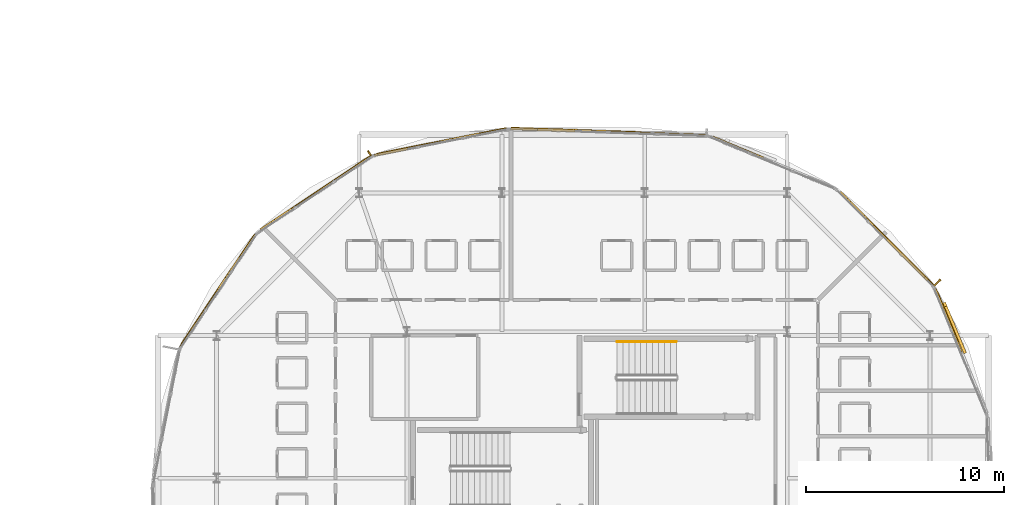
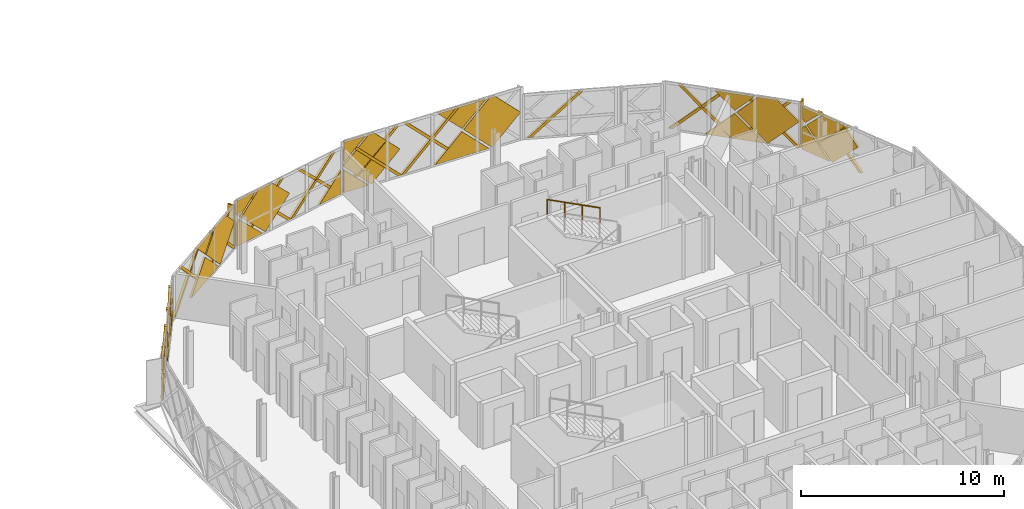
# One storey, part 24 of 25: 46 coverings, 2 shading devices, 1 railing.
"""IFC4 building model written with IfcOpenShell, lengths in metres."""

from ifc_helpers import new_model, si_unit, direction, frame, origin, origin_2d, place, context, subcontext, project, spatial, polyline, rectangle, circle, outline, extrude, material, layer, layer_set, type_object, element, save


model = new_model("IFC4")

# Units and contexts
model_context = context("Model", 3, precision=1e-05, world=origin(), true_north=direction((0.0, 1.0)))
body_context = subcontext(model_context, "Body", "Model", "MODEL_VIEW")
ifc_project = project(units=[si_unit("LENGTHUNIT", "METRE"), si_unit("AREAUNIT", "SQUARE_METRE"), si_unit("VOLUMEUNIT", "CUBIC_METRE"), si_unit("PLANEANGLEUNIT", "RADIAN"), si_unit("MASSUNIT", "GRAM", prefix="KILO")], contexts=[model_context])

# Site, building, storey
site_placement = place(None, origin())
site = spatial("IfcSite", under=ifc_project, at=site_placement, CompositionType="ELEMENT")
building_placement = place(site_placement, origin())
building = spatial("IfcBuilding", under=site, at=building_placement, Name="Zevrakil Square Congress Hotel", CompositionType="ELEMENT")
storey_placement = place(building_placement, frame((0.0, 0.0, 28.300048828125)))
storey = spatial("IfcBuildingStorey", under=building, at=storey_placement, Name="L08", CompositionType="ELEMENT", Elevation=28.300048828125)

# Coverings
ifc_material_1 = material(Name="Architectural White Fibre-C GRC", Category="concrete")
ifc_layer_1 = layer(ifc_material_1, 0.06494140625)
ifc_layer_set_1 = layer_set([ifc_layer_1], Name="Architectural White Fibre-C GRC")
covering_type_1 = type_object("IfcCoveringType", Name="COV-DIA-WHITE", PredefinedType="CLADDING", material=ifc_layer_set_1)
covering_1_placement = place(storey_placement, frame((163.584716796875, 40.606689453125, 1.58984375), z_axis=(0.923931381586, 0.382557788132, 0.000583832294), x_axis=(-0.27003258777, 0.65324655891, -0.70735516879)))
element("IfcCovering", 1, at=covering_1_placement, inside=storey, type_object=covering_type_1, Name="L08 45-degree white GRC diamond facade cassette 2825", PredefinedType="CLADDING", context=body_context, shape_type="SweptSolid", body=[
    extrude(outline(polyline([(0.0, 0.0), (0.26265602168372, 0.0), (1.1995361153018684, -0.9358479826313184), (0.0007365466058582015, -2.135490728389687), (0.0, 0.0)])), origin(), (0.0, 0.0, -1.0), 0.1201171875),
])
covering_2_placement = place(storey_placement, frame((163.619140625, 40.523681640625, 1.679931640625), z_axis=(0.923874979833, 0.382693925028, 0.000617563918), x_axis=(0.27101385986, -0.653123115709, -0.70709382934)))
element("IfcCovering", 2, at=covering_2_placement, inside=storey, type_object=covering_type_1, Name="L08 45-degree white GRC diamond facade cassette 2826", PredefinedType="CLADDING", context=body_context, shape_type="SweptSolid", body=[
    extrude(outline(polyline([(0.0, 0.0), (2.2487649826185794, 2.220446049250313e-16), (2.2487030434179474, -2.248621487736097), (0.9052022507591981, -2.248579266628513), (7.964935006055107e-05, -1.343489375281858), (0.0, 0.0)])), origin(), (0.0, 0.0, -1.0), 0.1201171875),
])
covering_3_placement = place(storey_placement, frame((163.584716796875, 40.606689453125, 1.77001953125), z_axis=(0.923882328431, 0.382676386465, 0.000475872387), x_axis=(0.270294494508, -0.653441897899, 0.707074658229)))
element("IfcCovering", 3, at=covering_3_placement, inside=storey, type_object=covering_type_1, Name="L08 45-degree white GRC diamond facade cassette 2827", PredefinedType="CLADDING", context=body_context, shape_type="SweptSolid", body=[
    extrude(outline(polyline([(0.0, 0.0), (1.2160856234251614, 1.1102230246251565e-16), (0.4765017102461365, -0.7395168244290641), (-5.171672533157978e-05, -0.26278807444089036), (0.0, 0.0)])), origin(), (0.0, 0.0, -1.0), 0.1201171875),
])
covering_4_placement = place(storey_placement, frame((161.0791015625, 43.277099609375, 1.58984375), z_axis=(0.707106614827, 0.707106614827, 0.000685956296), x_axis=(-0.499688110054, 0.500374023726, -0.70706267689)))
element("IfcCovering", 4, at=covering_4_placement, inside=storey, type_object=covering_type_1, Name="L08 45-degree white GRC diamond facade cassette 2832", PredefinedType="CLADDING", context=body_context, shape_type="SweptSolid", body=[
    extrude(outline(polyline([(0.0, 0.0), (2.1356094940087047, 0.0), (-2.1239432958841675e-05, -2.1353653520635065), (0.0, 0.0)])), origin(), (0.0, 0.0, -1.0), 0.1201171875),
])
covering_5_placement = place(storey_placement, frame((161.142578125, 43.21337890625, 1.679931640625), z_axis=(0.707086656495, 0.707126702543, 0.000535498331), x_axis=(0.500260887066, -0.499697050575, -0.70713641012)))
element("IfcCovering", 5, at=covering_5_placement, inside=storey, type_object=covering_type_1, Name="L08 45-degree white GRC diamond facade cassette 2833", PredefinedType="CLADDING", context=body_context, shape_type="SweptSolid", body=[
    extrude(outline(polyline([(0.0, 0.0), (2.2486297444978733, 2.220446049250313e-16), (2.2485612009743243, -2.234593692255967), (2.2344046615139077, -2.248749041317289), (0.6928440150307154, -2.248740937174533), (-0.00011993127735099307, -1.5557185640580555), (0.0, 0.0)])), origin(), (0.0, 0.0, -1.0), 0.1201171875),
])
covering_6_placement = place(storey_placement, frame((161.0791015625, 43.277099609375, 1.77001953125), z_axis=(0.707167083373, 0.707046220771, 0.000598236282), x_axis=(0.499632374052, -0.500316099504, 0.707143048736)))
element("IfcCovering", 6, at=covering_6_placement, inside=storey, type_object=covering_type_1, Name="L08 45-degree white GRC diamond facade cassette 2834", PredefinedType="CLADDING", context=body_context, shape_type="SweptSolid", body=[
    extrude(outline(polyline([(0.0, 0.0), (1.428296251275599, 0.0), (2.5038773877161802e-05, -1.428418247271782), (0.0, 0.0)])), origin(), (0.0, 0.0, -1.0), 0.1201171875),
])
covering_7_placement = place(storey_placement, frame((148.607421875, 48.67919921875, 1.58984375), z_axis=(0.034437213709, 0.999406744332, 0.000487540637), x_axis=(-0.706662444903, 0.024694885633, -0.7071197576)))
element("IfcCovering", 7, at=covering_7_placement, inside=storey, type_object=covering_type_1, Name="L08 45-degree white GRC diamond facade cassette 2847", PredefinedType="CLADDING", context=body_context, shape_type="SweptSolid", body=[
    extrude(outline(polyline([(0.0, 0.0), (2.1354371015609908, 0.0), (-5.797353951941808e-05, -2.1355739636251387), (0.0, 0.0)])), origin(), (0.0, 0.0, -1.0), 0.1201171875),
])
covering_8_placement = place(storey_placement, frame((142.043701171875, 48.905029296875, 1.437744140625), z_axis=(0.034524197898, 0.999403603744, 0.00071873686), x_axis=(0.0, 0.000719165582, -0.9999997414)))
element("IfcCovering", 8, at=covering_8_placement, inside=storey, type_object=covering_type_1, Name="L08 45-degree white GRC diamond facade cassette 2848", PredefinedType="CLADDING", context=body_context, shape_type="SweptSolid", body=[
    extrude(outline(polyline([(0.0, 0.0), (1.3579105074051148, 0.0), (1.3578767965184708, -1.3577429956865426), (0.0, 0.0)])), origin(), (0.0, 0.0, -1.0), 0.1201171875),
])
covering_9_placement = place(storey_placement, frame((148.697509765625, 48.67578125, 1.679931640625), z_axis=(0.034342639468, 0.999409936124, 0.00060223798), x_axis=(0.706686927538, -0.023857714997, -0.70712403147)))
element("IfcCovering", 9, at=covering_9_placement, inside=storey, type_object=covering_type_1, Name="L08 45-degree white GRC diamond facade cassette 2849", PredefinedType="CLADDING", context=body_context, shape_type="SweptSolid", body=[
    extrude(outline(polyline([(0.0, 0.0), (2.248669157200105, 0.0), (2.248438036598446, -2.2343922906356983), (2.2342817449528045, -2.2485478864533786), (0.24739024695382228, -2.2486192300394787), (-0.00013206632651896477, -2.0010847999345387), (0.0, 0.0)])), origin(), (0.0, 0.0, -1.0), 0.1201171875),
])
covering_10_placement = place(storey_placement, frame((143.570556640625, 48.853515625, 0.08984375), z_axis=(0.034438109288, 0.999406655978, 0.000593814834), x_axis=(0.706674176613, -0.024771109972, 0.707105367127)))
element("IfcCovering", 10, at=covering_10_placement, inside=storey, type_object=covering_type_1, Name="L08 45-degree white GRC diamond facade cassette 2850", PredefinedType="CLADDING", context=body_context, shape_type="SweptSolid", body=[
    extrude(outline(polyline([(0.0, 0.0), (2.248728529260854, 0.0), (2.2486648803563645, -2.00122761678093), (2.00113610118782, -2.2487555709076426), (0.08811575194742671, -2.2486477601896633), (7.284734909651647e-05, -2.1606045345030584), (0.0, 0.0)])), origin(), (0.0, 0.0, -1.0), 0.1201171875),
])
covering_11_placement = place(storey_placement, frame((148.607421875, 48.678955078125, 1.77001953125), z_axis=(0.034455924461, 0.999406065648, 0.000552463276), x_axis=(0.706694621675, -0.024755158208, 0.707085492594)))
element("IfcCovering", 11, at=covering_11_placement, inside=storey, type_object=covering_type_1, Name="L08 45-degree white GRC diamond facade cassette 2851", PredefinedType="CLADDING", context=body_context, shape_type="SweptSolid", body=[
    extrude(outline(polyline([(0.0, 0.0), (1.8738203311366033, 2.220446049250313e-16), (-7.656464047833822e-05, -1.8737846393585016), (0.0, 0.0)])), origin(), (0.0, 0.0, -1.0), 0.1201171875),
])
covering_12_placement = place(storey_placement, frame((143.2158203125, 48.86376953125, 3.094970703125), z_axis=(0.034347554543, 0.999409753715, 0.000624240945), x_axis=(-0.999409948438, 0.034347561236, 0.0)))
element("IfcCovering", 12, at=covering_12_placement, inside=storey, type_object=covering_type_1, Name="L08 45-degree white GRC diamond facade cassette 2852", PredefinedType="CLADDING", context=body_context, shape_type="SweptSolid", body=[
    extrude(outline(polyline([(0.0, 0.0), (1.1728111596815145, 0.0), (1.1728363165867164, -1.1726076503439962), (0.0, 0.0)])), origin(), (0.0, 0.0, -1.0), 0.1201171875),
])
covering_13_placement = place(storey_placement, frame((140.44091796875, 48.613037109375, 0.079833984375), z_axis=(-0.195117158425, 0.980779682769, 0.000712990978), x_axis=(0.980779932061, 0.19511720802, 0.0)))
element("IfcCovering", 13, at=covering_13_placement, inside=storey, type_object=covering_type_1, Name="L08 45-degree white GRC diamond facade cassette 2859", PredefinedType="CLADDING", context=body_context, shape_type="SweptSolid", body=[
    extrude(outline(polyline([(0.0, 0.0), (1.4101600118571058, -2.710505431213761e-20), (1.4102089159342497, -1.410156608430927), (0.0, 0.0)])), origin(), (0.0, 0.0, -1.0), 0.1201171875),
])
covering_14_placement = place(storey_placement, frame((135.331298828125, 47.595703125, 1.58984375), z_axis=(-0.194971652292, 0.980808721349, 0.000554011264), x_axis=(-0.693769720139, -0.137512818974, -0.706946815564)))
element("IfcCovering", 14, at=covering_14_placement, inside=storey, type_object=covering_type_1, Name="L08 45-degree white GRC diamond facade cassette 2860", PredefinedType="CLADDING", context=body_context, shape_type="SweptSolid", body=[
    extrude(outline(polyline([(0.0, 0.0), (0.26246244517614997, 2.7755575615628914e-17), (1.1988895004777846, -0.9366464508072774), (-0.0003998557962416882, -2.1353939014434102), (0.0, 0.0)])), origin(), (0.0, 0.0, -1.0), 0.1201171875),
])
covering_15_placement = place(storey_placement, frame((135.41943359375, 47.61328125, 1.679931640625), z_axis=(-0.195067157452, 0.98078969634, 0.000612892763), x_axis=(0.693429029362, 0.138356486318, -0.70711644298)))
element("IfcCovering", 15, at=covering_15_placement, inside=storey, type_object=covering_type_1, Name="L08 45-degree white GRC diamond facade cassette 2861", PredefinedType="CLADDING", context=body_context, shape_type="SweptSolid", body=[
    extrude(outline(polyline([(0.0, 0.0), (2.248693058405501, 2.220446049250313e-16), (2.248733669643704, -2.2487959665040176), (0.6929328899200121, -2.248747015298239), (-2.6879949242775147e-05, -1.5557680432856946), (0.0, 0.0)])), origin(), (0.0, 0.0, -1.0), 0.1201171875),
])
covering_16_placement = place(storey_placement, frame((135.331298828125, 47.595703125, 1.77001953125), z_axis=(-0.195041292457, 0.980794799146, 0.000675429488), x_axis=(0.693609772995, 0.13744458986, 0.707117011197)))
element("IfcCovering", 16, at=covering_16_placement, inside=storey, type_object=covering_type_1, Name="L08 45-degree white GRC diamond facade cassette 2862", PredefinedType="CLADDING", context=body_context, shape_type="SweptSolid", body=[
    extrude(outline(polyline([(0.0, 0.0), (1.4283488731403167, -2.220446049250313e-16), (0.5829711087330038, -0.8454025825087504), (-0.00012285303566786365, -0.26252970883128196), (0.0, 0.0)])), origin(), (0.0, 0.0, -1.0), 0.1201171875),
])
covering_17_placement = place(storey_placement, frame((132.223388671875, 45.6591796875, 1.58984375), z_axis=(-0.555520651505, 0.831502535125, 0.000582950511), x_axis=(-0.588198863079, -0.392475548484, -0.70709620372)))
element("IfcCovering", 17, at=covering_17_placement, inside=storey, type_object=covering_type_1, Name="L08 45-degree white GRC diamond facade cassette 2867", PredefinedType="CLADDING", context=body_context, shape_type="SweptSolid", body=[
    extrude(outline(polyline([(0.0, 0.0), (2.135508234495392, 0.0), (-6.439118954237877e-05, -2.135509461618033), (0.0, 0.0)])), origin(), (0.0, 0.0, -1.0), 0.1201171875),
])
covering_18_placement = place(storey_placement, frame((132.29833984375, 45.709228515625, 1.679931640625), z_axis=(-0.555581153492, 0.831462105844, 0.000590279375), x_axis=(0.58770156428, 0.393202889894, -0.707105620627)))
element("IfcCovering", 18, at=covering_18_placement, inside=storey, type_object=covering_type_1, Name="L08 45-degree white GRC diamond facade cassette 2868", PredefinedType="CLADDING", context=body_context, shape_type="SweptSolid", body=[
    extrude(outline(polyline([(0.0, 0.0), (2.248727622506177, 0.0), (2.248628678249538, -2.2344661342940397), (2.2344727551803545, -2.2486220988985752), (0.9051639093864615, -2.2485933251916173), (-5.553361229837517e-05, -1.3433764801927839), (0.0, 0.0)])), origin(), (0.0, 0.0, -1.0), 0.1201171875),
])
covering_19_placement = place(storey_placement, frame((132.223388671875, 45.6591796875, 1.77001953125), z_axis=(-0.555616975954, 0.831438075668, 0.000708773883), x_axis=(0.588222870859, 0.392483178338, 0.707071996985)))
element("IfcCovering", 19, at=covering_19_placement, inside=storey, type_object=covering_type_1, Name="L08 45-degree white GRC diamond facade cassette 2869", PredefinedType="CLADDING", context=body_context, shape_type="SweptSolid", body=[
    extrude(outline(polyline([(0.0, 0.0), (1.2160901363887175, -1.1102230246251565e-16), (-7.209862973234227e-05, -1.2160432030684487), (0.0, 0.0)])), origin(), (0.0, 0.0, -1.0), 0.1201171875),
])
covering_20_placement = place(storey_placement, frame((128.326416015625, 42.352783203125, 0.079833984375), z_axis=(-0.83143696172, 0.555618744306, 0.000624229289), x_axis=(0.555618852558, 0.831437123709, 0.0)))
element("IfcCovering", 20, at=covering_20_placement, inside=storey, type_object=covering_type_1, Name="L08 45-degree white GRC diamond facade cassette 2874", PredefinedType="CLADDING", context=body_context, shape_type="SweptSolid", body=[
    extrude(outline(polyline([(0.0, 0.0), (1.4100444252712594, 1.0842021724855044e-19), (1.410045397514974, -1.4101565247423773), (0.0, 0.0)])), origin(), (0.0, 0.0, -1.0), 0.1201171875),
])
covering_21_placement = place(storey_placement, frame((125.4326171875, 38.0205078125, 1.58984375), z_axis=(-0.831495967991, 0.555530596352, 0.000460142296), x_axis=(-0.393074442195, -0.587752381815, -0.707134796601)))
element("IfcCovering", 21, at=covering_21_placement, inside=storey, type_object=covering_type_1, Name="L08 45-degree white GRC diamond facade cassette 2875", PredefinedType="CLADDING", context=body_context, shape_type="SweptSolid", body=[
    extrude(outline(polyline([(0.0, 0.0), (0.26239242317629424, 2.7755575615628914e-17), (1.19911062203019, -0.9363554572640709), (0.00010078867779683698, -2.135460471202397), (0.0, 0.0)])), origin(), (0.0, 0.0, -1.0), 0.1201171875),
])
covering_22_placement = place(storey_placement, frame((125.48291015625, 38.09521484375, 1.679931640625), z_axis=(-0.831484035525, 0.555548410201, 0.000512436034), x_axis=(0.392514406491, 0.588124848853, -0.707136198239)))
element("IfcCovering", 22, at=covering_22_placement, inside=storey, type_object=covering_type_1, Name="L08 45-degree white GRC diamond facade cassette 2876", PredefinedType="CLADDING", context=body_context, shape_type="SweptSolid", body=[
    extrude(outline(polyline([(0.0, 0.0), (2.2486303576236586, -2.220446049250313e-16), (2.2484439351664283, -2.2486316220284386), (0.9050674517061323, -2.24863303904217), (-0.0001129211223048765, -1.3433771229790987), (0.0, 0.0)])), origin(), (0.0, 0.0, -1.0), 0.1201171875),
])
covering_23_placement = place(storey_placement, frame((125.432861328125, 38.020263671875, 1.77001953125), z_axis=(-0.83144812059, 0.555602041307, 0.0006280623), x_axis=(0.393258776383, 0.587705158129, 0.707071553598)))
element("IfcCovering", 23, at=covering_23_placement, inside=storey, type_object=covering_type_1, Name="L08 45-degree white GRC diamond facade cassette 2877", PredefinedType="CLADDING", context=body_context, shape_type="SweptSolid", body=[
    extrude(outline(polyline([(0.0, 0.0), (1.216090673566614, 1.1102230246251565e-16), (0.47659643473141244, -0.7394210791445527), (-9.856972975996747e-05, -0.26248827370569705), (0.0, 0.0)])), origin(), (0.0, 0.0, -1.0), 0.1201171875),
])
ifc_material_2 = material(Name="Anodised Champagne Aluminium", Category="aluminium")
ifc_layer_2 = layer(ifc_material_2, 0.0849609375)
ifc_layer_set_2 = layer_set([ifc_layer_2], Name="Anodised Champagne Aluminium")
covering_type_2 = type_object("IfcCoveringType", Name="COV-DIAGRID-45", PredefinedType="MOLDING", material=ifc_layer_set_2)
covering_24_placement = place(storey_placement, frame((164.8232421875, 37.684326171875, 0.079833984375), z_axis=(-0.92363779245, -0.383266523222, 2.3140221e-05), x_axis=(0.383266523325, -0.923637792697, -5.101e-09)))
element("IfcCovering", 24, at=covering_24_placement, inside=storey, type_object=covering_type_2, Name="L08 45-degree aluminium diagrid rib 2829", PredefinedType="MOLDING", context=body_context, shape_type="SweptSolid", body=[
    extrude(outline(polyline([(0.0, 0.0), (0.21223361811596553, 2.117582368135751e-22), (-2.337930778879303, 2.5500488168817066), (-2.5499388994872856, 2.5500488147176053), (0.0, 0.0)])), origin(), (0.0, 0.0, -1.0), 0.14501953125),
])
covering_25_placement = place(storey_placement, frame((164.654296875, 38.08837890625, 2.6298828125), z_axis=(0.923637050463, 0.383266215332, 0.001267752522), x_axis=(-0.383266523652, 0.923637792561, 2.79764e-07)))
element("IfcCovering", 25, at=covering_25_placement, inside=storey, type_object=covering_type_2, Name="L08 45-degree aluminium diagrid rib 2831", PredefinedType="MOLDING", context=body_context, shape_type="SweptSolid", body=[
    extrude(outline(polyline([(0.0, 0.0), (0.21200812060799107, -1.3552527156068805e-20), (2.762176427578192, -2.5500516501017794), (2.549942809462252, -2.5500515314139123), (0.0, 0.0)])), origin(), (0.0, 0.0, -1.0), 0.14501953125),
])
covering_26_placement = place(storey_placement, frame((163.341796875, 41.05126953125, 0.079833984375), z_axis=(0.707552959973, 0.706659195545, 0.001261025151), x_axis=(0.70665975586, -0.707553524085, 1.730149e-06)))
element("IfcCovering", 26, at=covering_26_placement, inside=storey, type_object=covering_type_2, Name="L08 45-degree aluminium diagrid rib 2835", PredefinedType="MOLDING", context=body_context, shape_type="SweptSolid", body=[
    extrude(outline(polyline([(0.0, 0.0), (0.08614420415780094, -6.776263578034403e-21), (0.08614442253839773, -0.1262206027676727), (-2.487814877312444, -2.700201847212784), (-2.699981505098143, -2.7002021656843427), (0.0, 0.0)])), origin(), (0.0, 0.0, -1.0), 0.14501953125),
])
covering_27_placement = place(storey_placement, frame((160.9658203125, 43.427001953125, 0.079833984375), z_axis=(0.706819149827, 0.707394267117, 0.000200719054), x_axis=(0.707394281378, -0.706819164053, -8.1693e-08)))
element("IfcCovering", 27, at=covering_27_placement, inside=storey, type_object=covering_type_2, Name="L08 45-degree aluminium diagrid rib 2836", PredefinedType="MOLDING", context=body_context, shape_type="SweptSolid", body=[
    extrude(outline(polyline([(0.0, 0.0), (0.21216661371496492, -3.3881317890172014e-21), (-2.4878218927265054, -2.700195163656088), (-2.700161069713944, -2.700195128977071), (0.0, 0.0)])), origin(), (0.0, 0.0, -1.0), 0.14501953125),
])
covering_28_placement = place(storey_placement, frame((163.13720703125, 41.253662109375, 2.780029296875), z_axis=(0.707106664129, 0.707106664129, 0.000575403253), x_axis=(-0.707106781377, 0.707106780996, 4.68188e-07)))
element("IfcCovering", 28, at=covering_28_placement, inside=storey, type_object=covering_type_2, Name="L08 45-degree aluminium diagrid rib 2837", PredefinedType="MOLDING", context=body_context, shape_type="SweptSolid", body=[
    extrude(outline(polyline([(0.0, 0.0), (0.21216656105428766, 0.0), (2.912153103923979, -2.700197122938374), (2.6999865428697847, -2.7001969242706285), (0.0, 0.0)])), origin(), (0.0, 0.0, -1.0), 0.14501953125),
])
covering_29_placement = place(storey_placement, frame((160.76123046875, 43.62939453125, 2.780029296875), z_axis=(0.707106664129, 0.707106664129, 0.000575403253), x_axis=(-0.707106781187, 0.707106781187, 0.0)))
element("IfcCovering", 29, at=covering_29_placement, inside=storey, type_object=covering_type_2, Name="L08 45-degree aluminium diagrid rib 2838", PredefinedType="MOLDING", context=body_context, shape_type="SweptSolid", body=[
    extrude(outline(polyline([(0.0, 0.0), (0.21233919454576503, 0.0), (2.912154368123992, -2.7001957595024644), (2.700160440561228, -2.7001957595024644), (0.0, 0.0)])), origin(), (0.0, 0.0, -1.0), 0.14501953125),
])
covering_30_placement = place(storey_placement, frame((154.79931640625, 47.422607421875, 2.6298828125), z_axis=(0.382487329476, 0.923960356143, 0.000838490971), x_axis=(-0.923960680946, 0.382487463933, 0.0)))
element("IfcCovering", 30, at=covering_30_placement, inside=storey, type_object=covering_type_2, Name="L08 45-degree aluminium diagrid rib 2846", PredefinedType="MOLDING", context=body_context, shape_type="SweptSolid", body=[
    extrude(outline(polyline([(0.0, 0.0), (0.21191462503525568, 1.3552527156068805e-20), (2.761852615076606, -2.5500497245532), (2.5499379900413497, -2.5500497245532), (0.0, 0.0)])), origin(), (0.0, 0.0, -1.0), 0.14501953125),
])
covering_31_placement = place(storey_placement, frame((148.422607421875, 48.71142578125, 0.079833984375), z_axis=(0.034541576947, 0.999402959657, 0.000776975715), x_axis=(0.999403261322, -0.034541587373, 0.0)))
element("IfcCovering", 31, at=covering_31_placement, inside=storey, type_object=covering_type_2, Name="L08 45-degree aluminium diagrid rib 2854", PredefinedType="MOLDING", context=body_context, shape_type="SweptSolid", body=[
    extrude(outline(polyline([(0.0, 0.0), (0.21204059532446085, -8.470329472543003e-22), (-2.803105473141441, -3.015137628856256), (-3.015146068465902, -3.015137628856256), (0.0, 0.0)])), origin(), (0.0, 0.0, -1.0), 0.14501953125),
])
covering_32_placement = place(storey_placement, frame((145.064453125, 48.826904296875, 0.079833984375), z_axis=(0.034521717446, 0.999403720073, 0.000674780777), x_axis=(0.999403947602, -0.034521725297, -1.3395e-08)))
element("IfcCovering", 32, at=covering_32_placement, inside=storey, type_object=covering_type_2, Name="L08 45-degree aluminium diagrid rib 2855", PredefinedType="MOLDING", context=body_context, shape_type="SweptSolid", body=[
    extrude(outline(polyline([(0.0, 0.0), (0.21228459038698066, -8.470329472543003e-22), (-2.8028699925856135, -3.0151373676451785), (-3.0149105878681994, -3.0151373619612896), (0.0, 0.0)])), origin(), (0.0, 0.0, -1.0), 0.14501953125),
])
covering_33_placement = place(storey_placement, frame((148.449462890625, 48.70849609375, 3.094970703125), z_axis=(0.034541582692, 0.999403125894, 0.000520594326), x_axis=(-0.999403261322, 0.034541587373, 0.0)))
element("IfcCovering", 33, at=covering_33_placement, inside=storey, type_object=covering_type_2, Name="L08 45-degree aluminium diagrid rib 2857", PredefinedType="MOLDING", context=body_context, shape_type="SweptSolid", body=[
    extrude(outline(polyline([(0.0, 0.0), (0.21204059532446085, -8.470329472543003e-22), (3.227077596929192, -3.0151371273289267), (3.015037001604731, -3.0151371273289267), (0.0, 0.0)])), origin(), (0.0, 0.0, -1.0), 0.14501953125),
])
covering_34_placement = place(storey_placement, frame((145.091552734375, 48.82421875, 3.094970703125), z_axis=(0.034855686327, 0.999392343827, 0.000155658836), x_axis=(-0.999392355935, 0.034855686741, 5.5105e-08)))
element("IfcCovering", 34, at=covering_34_placement, inside=storey, type_object=covering_type_2, Name="L08 45-degree aluminium diagrid rib 2858", PredefinedType="MOLDING", context=body_context, shape_type="SweptSolid", body=[
    extrude(outline(polyline([(0.0, 0.0), (0.21228457712645576, -2.117582368135751e-22), (3.0487421623312163, -2.8366701214643926), (3.048742152496741, -3.0151369161772963), (3.015028670184053, -3.0151369072176823), (0.0, 0.0)])), origin(), (0.0, 0.0, -1.0), 0.14501953125),
])
covering_35_placement = place(storey_placement, frame((141.734619140625, 48.895751953125, 0.079833984375), z_axis=(-0.19565376216, 0.980673036592, 2.5577992e-05), x_axis=(0.980673036913, 0.195653762224, 2.158e-09)))
element("IfcCovering", 35, at=covering_35_placement, inside=storey, type_object=covering_type_2, Name="L08 45-degree aluminium diagrid rib 2863", PredefinedType="MOLDING", context=body_context, shape_type="SweptSolid", body=[
    extrude(outline(polyline([(0.0, 0.0), (0.08613598153448564, 0.0), (0.0861359818068293, -0.12622070308371108), (-2.4877927821971273, -2.700195318820433), (-2.6999008307878762, -2.7001953193868182), (0.0, 0.0)])), origin(), (0.0, 0.0, -1.0), 0.14501953125),
])
covering_36_placement = place(storey_placement, frame((138.439208984375, 48.240478515625, 0.079833984375), z_axis=(-0.194565966242, 0.980888776556, 0.00113701705), x_axis=(0.980889410606, 0.19456609201, 0.0)))
element("IfcCovering", 36, at=covering_36_placement, inside=storey, type_object=covering_type_2, Name="L08 45-degree aluminium diagrid rib 2864", PredefinedType="MOLDING", context=body_context, shape_type="SweptSolid", body=[
    extrude(outline(polyline([(0.0, 0.0), (0.21206041195957603, 0.0), (-2.487838680114905, -2.7001970579184364), (-2.6998990920744808, -2.7001970579184364), (0.0, 0.0)])), origin(), (0.0, 0.0, -1.0), 0.14501953125),
])
covering_37_placement = place(storey_placement, frame((141.45263671875, 48.838134765625, 2.780029296875), z_axis=(-0.195562927781, 0.980690564316, 0.001076261778), x_axis=(-0.980691132328, -0.195563040918, -1.20995e-07)))
element("IfcCovering", 37, at=covering_37_placement, inside=storey, type_object=covering_type_2, Name="L08 45-degree aluminium diagrid rib 2865", PredefinedType="MOLDING", context=body_context, shape_type="SweptSolid", body=[
    extrude(outline(polyline([(0.0, 0.0), (0.21234747383591165, 0.0), (2.912106788186916, -2.700196524022158), (2.6999987408969828, -2.7001965753791817), (0.0, 0.0)])), origin(), (0.0, 0.0, -1.0), 0.14501953125),
])
covering_38_placement = place(storey_placement, frame((138.156982421875, 48.1826171875, 2.780029296875), z_axis=(-0.195119802042, 0.980779181948, 0.000677575206), x_axis=(-0.980779407019, -0.195119847189, 5.35235e-07)))
element("IfcCovering", 38, at=covering_38_placement, inside=storey, type_object=covering_type_2, Name="L08 45-degree aluminium diagrid rib 2866", PredefinedType="MOLDING", context=body_context, shape_type="SweptSolid", body=[
    extrude(outline(polyline([(0.0, 0.0), (0.21186856674691115, 0.0), (2.912058395484194, -2.7001974909771467), (2.6997585692238917, -2.7001972639473593), (0.0, 0.0)])), origin(), (0.0, 0.0, -1.0), 0.14501953125),
])
covering_39_placement = place(storey_placement, frame((134.84814453125, 47.444091796875, 0.079833984375), z_axis=(-0.556036215109, 0.831158063123, 3.991448e-05), x_axis=(0.831158063785, 0.556036215552, 1.317e-09)))
element("IfcCovering", 39, at=covering_39_placement, inside=storey, type_object=covering_type_2, Name="L08 45-degree aluminium diagrid rib 2870", PredefinedType="MOLDING", context=body_context, shape_type="SweptSolid", body=[
    extrude(outline(polyline([(0.0, 0.0), (0.08606260032645463, 0.0), (0.08606260049267751, -0.12622070302445476), (-2.3379101229792245, -2.55004883330868), (-2.549985712374803, -2.550048833502186), (0.0, 0.0)])), origin(), (0.0, 0.0, -1.0), 0.14501953125),
])
covering_40_placement = place(storey_placement, frame((132.05419921875, 45.577392578125, 0.079833984375), z_axis=(-0.555496030256, 0.831518902433, 0.000689396523), x_axis=(0.83151910003, 0.55549616226, 0.0)))
element("IfcCovering", 40, at=covering_40_placement, inside=storey, type_object=covering_type_2, Name="L08 45-degree aluminium diagrid rib 2871", PredefinedType="MOLDING", context=body_context, shape_type="SweptSolid", body=[
    extrude(outline(polyline([(0.0, 0.0), (0.21227855363602155, 1.3552527156068805e-20), (-2.3377065581230125, -2.550049434102965), (-2.549985111759034, -2.550049434102965), (0.0, 0.0)])), origin(), (0.0, 0.0, -1.0), 0.14501953125),
])
covering_41_placement = place(storey_placement, frame((134.48486328125, 47.19970703125, 2.6298828125), z_axis=(-0.555761713184, 0.831341279038, 0.000771962415), x_axis=(-0.831341526853, -0.555761878622, -2.46711e-07)))
element("IfcCovering", 41, at=covering_41_placement, inside=storey, type_object=covering_type_2, Name="L08 45-degree aluminium diagrid rib 2872", PredefinedType="MOLDING", context=body_context, shape_type="SweptSolid", body=[
    extrude(outline(polyline([(0.0, 0.0), (0.2122785427952234, 1.3552527156068805e-20), (2.762125660207621, -2.5500489064982363), (2.550050081652352, -2.5500490111911516), (0.0, 0.0)])), origin(), (0.0, 0.0, -1.0), 0.14501953125),
])
covering_42_placement = place(storey_placement, frame((131.691162109375, 45.3330078125, 2.6298828125), z_axis=(-0.55549609854, 0.831519004646, 0.000478977039), x_axis=(-0.83151910003, -0.55549616226, 0.0)))
element("IfcCovering", 42, at=covering_42_placement, inside=storey, type_object=covering_type_2, Name="L08 45-degree aluminium diagrid rib 2873", PredefinedType="MOLDING", context=body_context, shape_type="SweptSolid", body=[
    extrude(outline(polyline([(0.0, 0.0), (0.21227855363602155, 0.0), (2.7623285267421265, -2.550049120639881), (2.5500499731061046, -2.550049120639881), (0.0, 0.0)])), origin(), (0.0, 0.0, -1.0), 0.14501953125),
])
covering_43_placement = place(storey_placement, frame((129.041259765625, 43.467529296875, 0.079833984375), z_axis=(-0.831353869222, 0.55574284968, 0.00079319626), x_axis=(0.555743024673, 0.831354130637, 2.53597e-07)))
element("IfcCovering", 43, at=covering_43_placement, inside=storey, type_object=covering_type_2, Name="L08 45-degree aluminium diagrid rib 2878", PredefinedType="MOLDING", context=body_context, shape_type="SweptSolid", body=[
    extrude(outline(polyline([(0.0, 0.0), (0.08606259597474507, 0.0), (0.08606262798387905, -0.12622066341846153), (-2.337973274408114, -2.550050245839032), (-2.5500488513702693, -2.550050241993607), (0.0, 0.0)])), origin(), (0.0, 0.0, -1.0), 0.14501953125),
])
covering_44_placement = place(storey_placement, frame((127.174560546875, 40.673828125, 0.079833984375), z_axis=(-0.831163178613, 0.556027444972, 0.001118461687), x_axis=(0.556027792755, 0.831163698488, 0.0)))
element("IfcCovering", 44, at=covering_44_placement, inside=storey, type_object=covering_type_2, Name="L08 45-degree aluminium diagrid rib 2879", PredefinedType="MOLDING", context=body_context, shape_type="SweptSolid", body=[
    extrude(outline(polyline([(0.0, 0.0), (0.2120755894064681, 0.0), (-2.3379730812126556, -2.550050423126634), (-2.5500486706191237, -2.550050423126634), (0.0, 0.0)])), origin(), (0.0, 0.0, -1.0), 0.14501953125),
])
for number, where, z_axis, x_axis, name in (
    (45, (128.79931640625, 43.1025390625, 2.6298828125), (-0.831163697452, 0.556027792062, 4.992742e-05), (-0.556027792755, -0.831163698488, 0.0), "L08 45-degree aluminium diagrid rib 2880"),
    (46, (126.9326171875, 40.308837890625, 2.6298828125), (-0.831163697452, 0.556027792062, 4.992742e-05), (-0.556027792755, -0.831163698488, 0.0), "L08 45-degree aluminium diagrid rib 2881"),
):
    element("IfcCovering", number, at=place(storey_placement, frame(where, z_axis=z_axis, x_axis=x_axis)), inside=storey, type_object=covering_type_2, Name=name, PredefinedType="MOLDING", context=body_context, shape_type="SweptSolid", body=[
        extrude(outline(polyline([(0.0, 0.0), (0.2120755894064681, 8.470329472543003e-22), (2.762061303980216, -2.5500488313033136), (2.549985714573748, -2.5500488313033136), (0.0, 0.0)])), origin(), (0.0, 0.0, -1.0), 0.14501953125),
    ])

# Railing
ifc_material_3 = material(Name="Steel S355", Category="steel")
railing_type = type_object("IfcRailingType", Name="RLG-STAIR-HAND-900", PredefinedType="HANDRAIL", material=ifc_material_3)
railing_placement = place(storey_placement, frame((150.39990234375, 38.10009765625, 1.8544921875)))
element("IfcRailing", 47, at=railing_placement, inside=storey, type_object=railing_type, Name="L08 ST03 stair handrail 2", PredefinedType="HANDRAIL", context=body_context, shape_type="SweptSolid", body=[
    extrude(circle(Radius=0.02392578125, at=origin_2d()), frame((0.0, 0.0, 0.8759765625), z_axis=(-0.888979911393, 0.0, 0.45794619459), x_axis=(0.0, -1.0, 0.0)), (0.0, 0.0, 1.0), 3.374755859375),
    extrude(circle(Radius=0.02099609375, at=origin_2d()), origin(), (0.0, 0.0, 1.0), 0.851806640625),
    extrude(circle(Radius=0.02099609375, at=origin_2d()), frame((-1.0, 0.0, 0.51513671875)), (0.0, 0.0, 1.0), 0.851806640625),
    extrude(circle(Radius=0.02099609375, at=origin_2d()), frame((-2.0, 0.0, 1.0302734375)), (0.0, 0.0, 1.0), 0.851806640625),
    extrude(circle(Radius=0.02099609375, at=origin_2d()), frame((-3.0, 0.0, 1.54541015625)), (0.0, 0.0, 1.0), 0.851806640625),
])

# Shading devices
ifc_material_4 = material(Name="Aluminium Anodised Bronze", Category="aluminium")
shading_device_type_1 = type_object("IfcShadingDeviceType", Name="SHD-FIN-35", PredefinedType="JALOUSIE", material=ifc_material_4)
shading_device_1_placement = place(storey_placement, frame((134.927734375, 47.587646484375, 0.10009765625), z_axis=(0.0, 0.0, 1.0), x_axis=(-0.55557023302, 0.831469612303, 0.0)))
element("IfcShadingDevice", 48, at=shading_device_1_placement, inside=storey, type_object=shading_device_type_1, Name="L08 aluminium solar shading fin 159", PredefinedType="JALOUSIE", context=body_context, shape_type="SweptSolid", body=[
    extrude(rectangle(XDim=0.35009765625, YDim=0.080078125, at=origin_2d()), origin(), (0.0, 0.0, 1.0), 2.510009765625),
])
ifc_material_5 = material(Name="Aluminium Anodised Bronze", Category="aluminium")
shading_device_type_2 = type_object("IfcShadingDeviceType", Name="SHD-FIN-50", PredefinedType="JALOUSIE", material=ifc_material_5)
shading_device_2_placement = place(storey_placement, frame((163.551025390625, 41.053955078125, 0.10009765625), z_axis=(0.0, 0.0, 1.0), x_axis=(0.707106781187, 0.707106781187, 0.0)))
element("IfcShadingDevice", 49, at=shading_device_2_placement, inside=storey, type_object=shading_device_type_2, Name="L08 aluminium solar shading fin 157", PredefinedType="JALOUSIE", context=body_context, shape_type="SweptSolid", body=[
    extrude(rectangle(XDim=0.5, YDim=0.080078125, at=origin_2d()), origin(), (0.0, 0.0, 1.0), 2.659912109375),
])

save(model, "model.ifc")
